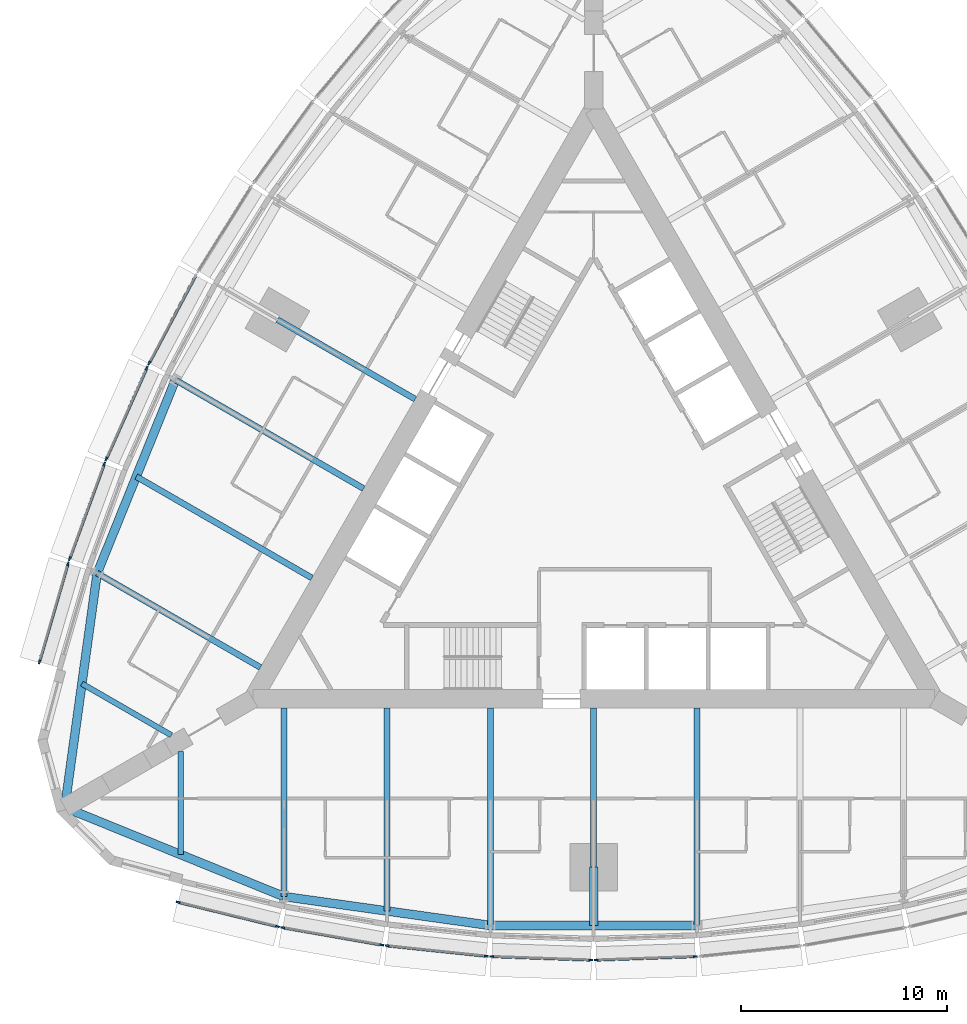
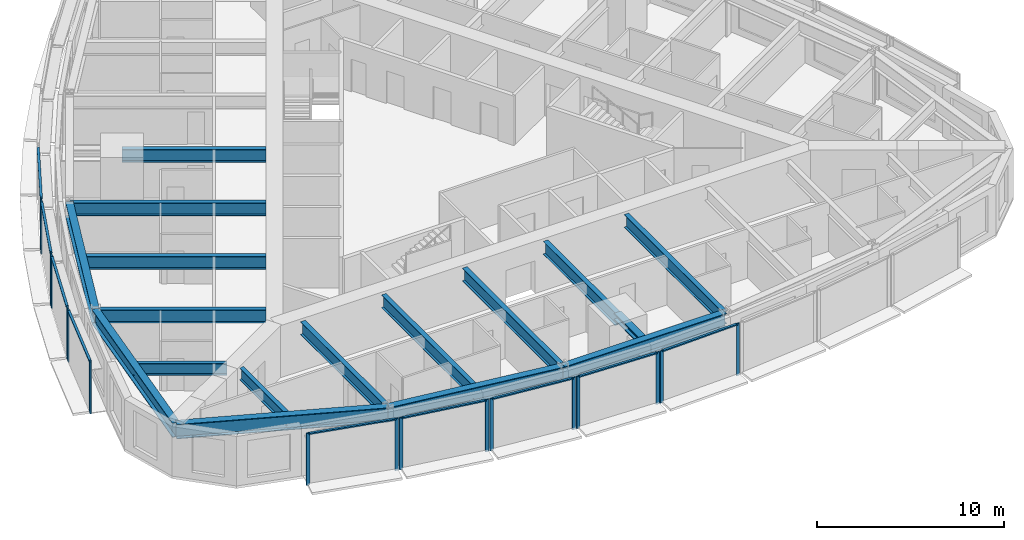
# One storey, part 2 of 14: 26 members, 17 beams, 9 elements without a shape of their own.
"""IFC4 building model written with IfcOpenShell, lengths in metres."""

from ifc_helpers import new_model, si_unit, direction, frame, origin, origin_2d, place, context, subcontext, project, spatial, rectangle, i_section, extrude, material, material_profile, profile_set, type_object, element, aggregate, save


model = new_model("IFC4")

# Units and contexts
model_context = context("Model", 3, precision=1e-05, world=origin(), true_north=direction((0.0, 1.0)))
body_context = subcontext(model_context, "Body", "Model", "MODEL_VIEW")
ifc_project = project(units=[si_unit("LENGTHUNIT", "METRE"), si_unit("AREAUNIT", "SQUARE_METRE"), si_unit("VOLUMEUNIT", "CUBIC_METRE"), si_unit("PLANEANGLEUNIT", "RADIAN"), si_unit("MASSUNIT", "GRAM", prefix="KILO")], contexts=[model_context])

# Site, building, storey
site_placement = place(None, origin())
site = spatial("IfcSite", under=ifc_project, at=site_placement, CompositionType="ELEMENT")
building_placement = place(site_placement, origin())
building = spatial("IfcBuilding", under=site, at=building_placement, Name="Trikona Tower", CompositionType="ELEMENT")
storey_placement = place(building_placement, frame((0.0, 0.0, 145.300048828125)))
storey = spatial("IfcBuildingStorey", under=building, at=storey_placement, Name="L38", CompositionType="ELEMENT", Elevation=145.300048828125)

# Curtain wall, members
ifc_material_1 = material(Name="Aluminium curtain wall system", Category="aluminium")
curtain_wall_type = type_object("IfcCurtainWallType", Name="Curtain wall DS2", PredefinedType="NOTDEFINED", material=ifc_material_1)
curtain_wall_1_placement = place(storey_placement, origin())
curtain_wall_1 = element("IfcCurtainWall", 1, at=curtain_wall_1_placement, inside=storey, type_object=curtain_wall_type, Name="Curtain wall DS2 L38", PredefinedType="NOTDEFINED")
ifc_material_2 = material(Name="Aluminium mullion, pale anodised", Category="aluminium")
ifc_material_profile_1 = material_profile(ifc_material_2, rectangle(XDim=0.080078125, YDim=0.199951171875, at=origin_2d()), Name="MUL-DS2")
ifc_profile_set_1 = profile_set([ifc_material_profile_1], Name="Aluminium mullion, pale anodised")
member_type_1 = type_object("IfcMemberType", Name="Mullion DS2 80x200", PredefinedType="MULLION", material=ifc_profile_set_1)
member_1_placement = place(storey_placement, frame((-20.116943359375, -19.373046875, 0.0), z_axis=(0.0, 0.0, 1.0), x_axis=(0.237970204243, 0.971272455026, 0.0)))
member_1 = element("IfcMember", 2, at=member_1_placement, type_object=member_type_1, Name="CW-DS2 mullion 1", PredefinedType="MULLION", context=body_context, shape_type="SweptSolid", body=[
    extrude(rectangle(XDim=0.080078125, YDim=0.199951171875, at=origin_2d()), origin(), (0.0, 0.0, 1.0), 3.39990234375),
])
member_2_placement = place(storey_placement, frame((-15.311279296875, -20.550537109375, 0.0), z_axis=(0.0, 0.0, 1.0), x_axis=(0.237970204243, 0.971272455026, 0.0)))
member_2 = element("IfcMember", 3, at=member_2_placement, type_object=member_type_1, Name="CW-DS2 mullion 2", PredefinedType="MULLION", context=body_context, shape_type="SweptSolid", body=[
    extrude(rectangle(XDim=0.080078125, YDim=0.199951171875, at=origin_2d()), origin(), (0.0, 0.0, 1.0), 3.39990234375),
])

curtain_wall_2_placement = place(storey_placement, origin())
curtain_wall_2 = element("IfcCurtainWall", 4, at=curtain_wall_2_placement, inside=storey, type_object=curtain_wall_type, Name="Curtain wall DS2 L38", PredefinedType="NOTDEFINED")
member_3_placement = place(storey_placement, frame((-15.056640625, -20.60400390625, 0.0), z_axis=(0.0, 0.0, 1.0), x_axis=(0.17237739505, 0.985030981074, 0.0)))
member_3 = element("IfcMember", 5, at=member_3_placement, type_object=member_type_1, Name="CW-DS2 mullion 1", PredefinedType="MULLION", context=body_context, shape_type="SweptSolid", body=[
    extrude(rectangle(XDim=0.080078125, YDim=0.199951171875, at=origin_2d()), origin(), (0.0, 0.0, 1.0), 3.39990234375),
])
member_4_placement = place(storey_placement, frame((-10.253662109375, -21.444580078125, 0.0), z_axis=(0.0, 0.0, 1.0), x_axis=(0.17237739505, 0.985030981074, 0.0)))
member_4 = element("IfcMember", 6, at=member_4_placement, type_object=member_type_1, Name="CW-DS2 mullion 2", PredefinedType="MULLION", context=body_context, shape_type="SweptSolid", body=[
    extrude(rectangle(XDim=0.080078125, YDim=0.199951171875, at=origin_2d()), origin(), (0.0, 0.0, 1.0), 3.39990234375),
])

curtain_wall_3_placement = place(storey_placement, origin())
curtain_wall_3 = element("IfcCurtainWall", 7, at=curtain_wall_3_placement, inside=storey, type_object=curtain_wall_type, Name="Curtain wall DS2 L38", PredefinedType="NOTDEFINED")
member_5_placement = place(storey_placement, frame((-9.99462890625, -21.480712890625, 0.0), z_axis=(0.0, 0.0, 1.0), x_axis=(0.104433387357, 0.994531883654, 0.0)))
member_5 = element("IfcMember", 8, at=member_5_placement, type_object=member_type_1, Name="CW-DS2 mullion 1", PredefinedType="MULLION", context=body_context, shape_type="SweptSolid", body=[
    extrude(rectangle(XDim=0.080078125, YDim=0.199951171875, at=origin_2d()), origin(), (0.0, 0.0, 1.0), 3.39990234375),
])
member_6_placement = place(storey_placement, frame((-5.193359375, -21.98486328125, 0.0), z_axis=(0.0, 0.0, 1.0), x_axis=(0.104433387357, 0.994531883654, 0.0)))
member_6 = element("IfcMember", 9, at=member_6_placement, type_object=member_type_1, Name="CW-DS2 mullion 2", PredefinedType="MULLION", context=body_context, shape_type="SweptSolid", body=[
    extrude(rectangle(XDim=0.080078125, YDim=0.199951171875, at=origin_2d()), origin(), (0.0, 0.0, 1.0), 3.39990234375),
])

curtain_wall_4_placement = place(storey_placement, origin())
curtain_wall_4 = element("IfcCurtainWall", 10, at=curtain_wall_4_placement, inside=storey, type_object=curtain_wall_type, Name="Curtain wall DS2 L38", PredefinedType="NOTDEFINED")
member_7_placement = place(storey_placement, frame((-4.931640625, -22.003173828125, 0.0), z_axis=(0.0, 0.0, 1.0), x_axis=(0.034998320052, 0.99938737114, 0.0)))
member_7 = element("IfcMember", 11, at=member_7_placement, type_object=member_type_1, Name="CW-DS2 mullion 1", PredefinedType="MULLION", context=body_context, shape_type="SweptSolid", body=[
    extrude(rectangle(XDim=0.080078125, YDim=0.199951171875, at=origin_2d()), origin(), (0.0, 0.0, 1.0), 3.39990234375),
])
member_8_placement = place(storey_placement, frame((-0.13134765625, -22.171142578125, 0.0), z_axis=(0.0, 0.0, 1.0), x_axis=(0.034998320052, 0.99938737114, 0.0)))
member_8 = element("IfcMember", 12, at=member_8_placement, type_object=member_type_1, Name="CW-DS2 mullion 2", PredefinedType="MULLION", context=body_context, shape_type="SweptSolid", body=[
    extrude(rectangle(XDim=0.080078125, YDim=0.199951171875, at=origin_2d()), origin(), (0.0, 0.0, 1.0), 3.39990234375),
])

curtain_wall_5_placement = place(storey_placement, origin())
curtain_wall_5 = element("IfcCurtainWall", 13, at=curtain_wall_5_placement, inside=storey, type_object=curtain_wall_type, Name="Curtain wall DS2 L38", PredefinedType="NOTDEFINED")
member_9_placement = place(storey_placement, frame((0.13134765625, -22.171142578125, 0.0), z_axis=(0.0, 0.0, 1.0), x_axis=(-0.034998320052, 0.99938737114, 0.0)))
member_9 = element("IfcMember", 14, at=member_9_placement, type_object=member_type_1, Name="CW-DS2 mullion 1", PredefinedType="MULLION", context=body_context, shape_type="SweptSolid", body=[
    extrude(rectangle(XDim=0.080078125, YDim=0.199951171875, at=origin_2d()), origin(), (0.0, 0.0, 1.0), 3.39990234375),
])
member_10_placement = place(storey_placement, frame((4.931640625, -22.003173828125, 0.0), z_axis=(0.0, 0.0, 1.0), x_axis=(-0.034998320052, 0.99938737114, 0.0)))
member_10 = element("IfcMember", 15, at=member_10_placement, type_object=member_type_1, Name="CW-DS2 mullion 2", PredefinedType="MULLION", context=body_context, shape_type="SweptSolid", body=[
    extrude(rectangle(XDim=0.080078125, YDim=0.199951171875, at=origin_2d()), origin(), (0.0, 0.0, 1.0), 3.39990234375),
])

# Curtain wall, member
curtain_wall_6_placement = place(storey_placement, origin())
curtain_wall_6 = element("IfcCurtainWall", 16, at=curtain_wall_6_placement, inside=storey, type_object=curtain_wall_type, Name="Curtain wall DS2 L38", PredefinedType="NOTDEFINED")
member_11_placement = place(storey_placement, frame((-21.52099609375, 6.730712890625, 0.0), z_axis=(0.0, 0.0, 1.0), x_axis=(0.882996107343, -0.469380308937, 0.0)))
member_11 = element("IfcMember", 17, at=member_11_placement, type_object=member_type_1, Name="CW-DS2 mullion 2", PredefinedType="MULLION", context=body_context, shape_type="SweptSolid", body=[
    extrude(rectangle(XDim=0.080078125, YDim=0.199951171875, at=origin_2d()), origin(), (0.0, 0.0, 1.0), 3.39990234375),
])

# Curtain wall, members
curtain_wall_7_placement = place(storey_placement, origin())
curtain_wall_7 = element("IfcCurtainWall", 18, at=curtain_wall_7_placement, inside=storey, type_object=curtain_wall_type, Name="Curtain wall DS2 L38", PredefinedType="NOTDEFINED")
member_12_placement = place(storey_placement, frame((-21.63623046875, 6.494873046875, 0.0), z_axis=(0.0, 0.0, 1.0), x_axis=(0.913501208767, -0.406836013132, 0.0)))
member_12 = element("IfcMember", 19, at=member_12_placement, type_object=member_type_1, Name="CW-DS2 mullion 1", PredefinedType="MULLION", context=body_context, shape_type="SweptSolid", body=[
    extrude(rectangle(XDim=0.080078125, YDim=0.199951171875, at=origin_2d()), origin(), (0.0, 0.0, 1.0), 3.39990234375),
])
member_13_placement = place(storey_placement, frame((-23.60009765625, 2.0849609375, 0.0), z_axis=(0.0, 0.0, 1.0), x_axis=(0.913501208767, -0.406836013132, 0.0)))
member_13 = element("IfcMember", 20, at=member_13_placement, type_object=member_type_1, Name="CW-DS2 mullion 2", PredefinedType="MULLION", context=body_context, shape_type="SweptSolid", body=[
    extrude(rectangle(XDim=0.080078125, YDim=0.199951171875, at=origin_2d()), origin(), (0.0, 0.0, 1.0), 3.39990234375),
])

curtain_wall_8_placement = place(storey_placement, origin())
curtain_wall_8 = element("IfcCurtainWall", 21, at=curtain_wall_8_placement, inside=storey, type_object=curtain_wall_type, Name="Curtain wall DS2 L38", PredefinedType="NOTDEFINED")
member_14_placement = place(storey_placement, frame((-23.6982421875, 1.84228515625, 0.0), z_axis=(0.0, 0.0, 1.0), x_axis=(0.939253790978, -0.343223420143, 0.0)))
member_14 = element("IfcMember", 22, at=member_14_placement, type_object=member_type_1, Name="CW-DS2 mullion 1", PredefinedType="MULLION", context=body_context, shape_type="SweptSolid", body=[
    extrude(rectangle(XDim=0.080078125, YDim=0.199951171875, at=origin_2d()), origin(), (0.0, 0.0, 1.0), 3.39990234375),
])
member_15_placement = place(storey_placement, frame((-25.371826171875, -2.737548828125, 0.0), z_axis=(0.0, 0.0, 1.0), x_axis=(0.939253790978, -0.343223420143, 0.0)))
member_15 = element("IfcMember", 23, at=member_15_placement, type_object=member_type_1, Name="CW-DS2 mullion 2", PredefinedType="MULLION", context=body_context, shape_type="SweptSolid", body=[
    extrude(rectangle(XDim=0.080078125, YDim=0.199951171875, at=origin_2d()), origin(), (0.0, 0.0, 1.0), 3.39990234375),
])

curtain_wall_9_placement = place(storey_placement, origin())
curtain_wall_9 = element("IfcCurtainWall", 24, at=curtain_wall_9_placement, inside=storey, type_object=curtain_wall_type, Name="Curtain wall DS2 L38", PredefinedType="NOTDEFINED")
member_16_placement = place(storey_placement, frame((-25.452880859375, -2.984619140625, 0.0), z_axis=(0.0, 0.0, 1.0), x_axis=(0.96013310152, -0.279543247757, 0.0)))
member_16 = element("IfcMember", 25, at=member_16_placement, type_object=member_type_1, Name="CW-DS2 mullion 1", PredefinedType="MULLION", context=body_context, shape_type="SweptSolid", body=[
    extrude(rectangle(XDim=0.080078125, YDim=0.199951171875, at=origin_2d()), origin(), (0.0, 0.0, 1.0), 3.39990234375),
])
member_17_placement = place(storey_placement, frame((-26.836181640625, -7.7353515625, 0.0), z_axis=(0.0, 0.0, 1.0), x_axis=(0.96013310152, -0.279543247757, 0.0)))
member_17 = element("IfcMember", 26, at=member_17_placement, type_object=member_type_1, Name="CW-DS2 mullion 2", PredefinedType="MULLION", context=body_context, shape_type="SweptSolid", body=[
    extrude(rectangle(XDim=0.080078125, YDim=0.199951171875, at=origin_2d()), origin(), (0.0, 0.0, 1.0), 3.39990234375),
])

# Beams
ifc_material_3 = material(Name="Steel ASTM A992 Grade 50", Category="steel")
ifc_material_profile_2 = material_profile(ifc_material_3, i_section(OverallWidth=0.419189453125, OverallDepth=0.45458984375, WebThickness=0.042236328125, FlangeThickness=0.067626953125, at=origin_2d()), Name="W14X370")
ifc_profile_set_2 = profile_set([ifc_material_profile_2], Name="Steel ASTM A992 Grade 50")
beam_type_1 = type_object("IfcBeamType", Name="Steel beam W14x370 (apex bracket)", PredefinedType="BEAM", material=ifc_profile_set_2)
beam_1_placement = place(storey_placement, frame((0.0, -17.680419921875, 3.007568359375), z_axis=(0.0, -1.0, 0.0), x_axis=(1.0, 0.0, 0.0)))
element("IfcBeam", 27, at=beam_1_placement, inside=storey, type_object=beam_type_1, Name="Cantilever bracket L39 F1", PredefinedType="BEAM", context=body_context, shape_type="SweptSolid", body=[
    extrude(i_section(OverallWidth=0.419189453125, OverallDepth=0.45458984375, WebThickness=0.042236328125, FlangeThickness=0.067626953125, at=origin_2d()), origin(), (0.0, 0.0, 1.0), 2.81982421875),
])
ifc_material_4 = material(Name="Steel ASTM A992 Grade 50", Category="steel")
ifc_material_profile_3 = material_profile(ifc_material_4, i_section(OverallWidth=0.2666015625, OverallDepth=0.76953125, WebThickness=0.015625, FlangeThickness=0.025390625, at=origin_2d()), Name="W30X132")
ifc_profile_set_3 = profile_set([ifc_material_profile_3], Name="Steel ASTM A992 Grade 50")
beam_type_2 = type_object("IfcBeamType", Name="Steel beam W30x132 (wedge)", PredefinedType="BEAM", material=ifc_profile_set_3)
beam_2_placement = place(storey_placement, frame((-20.0, -12.066650390625, 2.85009765625), z_axis=(0.0, -1.0, 0.0), x_axis=(1.0, 0.0, 0.0)))
element("IfcBeam", 28, at=beam_2_placement, inside=storey, type_object=beam_type_2, Name="Floor beam L39 F1 u-20", PredefinedType="BEAM", context=body_context, shape_type="SweptSolid", body=[
    extrude(i_section(OverallWidth=0.2666015625, OverallDepth=0.76953125, WebThickness=0.015625, FlangeThickness=0.025390625, at=origin_2d()), origin(), (0.0, 0.0, 1.0), 5.00048828125),
])
beam_3_placement = place(storey_placement, frame((-20.449951171875, -11.287109375, 2.85009765625), z_axis=(-0.866038434829, 0.49997742889, 0.0), x_axis=(-0.49997742889, -0.866038434829, 0.0)))
element("IfcBeam", 29, at=beam_3_placement, inside=storey, type_object=beam_type_2, Name="Floor beam L39 F3 u20", PredefinedType="BEAM", context=body_context, shape_type="SweptSolid", body=[
    extrude(i_section(OverallWidth=0.2666015625, OverallDepth=0.76953125, WebThickness=0.015625, FlangeThickness=0.025390625, at=origin_2d()), origin(), (0.0, 0.0, 1.0), 5.000732421875),
])
ifc_material_5 = material(Name="Steel ASTM A992 Grade 50", Category="steel")
ifc_material_profile_4 = material_profile(ifc_material_5, i_section(OverallWidth=0.2919921875, OverallDepth=0.845703125, WebThickness=0.015380859375, FlangeThickness=0.0244140625, at=origin_2d()), Name="W33X141")
ifc_profile_set_4 = profile_set([ifc_material_profile_4], Name="Steel ASTM A992 Grade 50")
beam_type_3 = type_object("IfcBeamType", Name="Steel beam W33x141 (radial typ)", PredefinedType="BEAM", material=ifc_profile_set_4)
beam_4_placement = place(storey_placement, frame((-15.0, -9.976318359375, 2.81201171875), z_axis=(0.0, -1.0, 0.0), x_axis=(1.0, 0.0, 0.0)))
element("IfcBeam", 30, at=beam_4_placement, inside=storey, type_object=beam_type_3, Name="Floor beam L39 F1 u-15", PredefinedType="BEAM", context=body_context, shape_type="SweptSolid", body=[
    extrude(i_section(OverallWidth=0.2919921875, OverallDepth=0.845703125, WebThickness=0.015380859375, FlangeThickness=0.0244140625, at=origin_2d()), origin(), (0.0, 0.0, 1.0), 9.123779296875),
])
beam_5_placement = place(storey_placement, frame((-10.0, -9.976318359375, 2.81201171875), z_axis=(0.0, -1.0, 0.0), x_axis=(1.0, 0.0, 0.0)))
element("IfcBeam", 31, at=beam_5_placement, inside=storey, type_object=beam_type_3, Name="Floor beam L39 F1 u-10", PredefinedType="BEAM", context=body_context, shape_type="SweptSolid", body=[
    extrude(i_section(OverallWidth=0.2919921875, OverallDepth=0.845703125, WebThickness=0.015380859375, FlangeThickness=0.0244140625, at=origin_2d()), origin(), (0.0, 0.0, 1.0), 9.823974609375),
])
beam_6_placement = place(storey_placement, frame((-5.0, -9.976318359375, 2.81201171875), z_axis=(0.0, -1.0, 0.0), x_axis=(1.0, 0.0, 0.0)))
element("IfcBeam", 32, at=beam_6_placement, inside=storey, type_object=beam_type_3, Name="Floor beam L39 F1 u-5", PredefinedType="BEAM", context=body_context, shape_type="SweptSolid", body=[
    extrude(i_section(OverallWidth=0.2919921875, OverallDepth=0.845703125, WebThickness=0.015380859375, FlangeThickness=0.0244140625, at=origin_2d()), origin(), (0.0, 0.0, 1.0), 10.52392578125),
])
beam_7_placement = place(storey_placement, frame((0.0, -9.976318359375, 2.81201171875), z_axis=(0.0, -1.0, 0.0), x_axis=(1.0, 0.0, 0.0)))
element("IfcBeam", 33, at=beam_7_placement, inside=storey, type_object=beam_type_3, Name="Floor beam L39 F1 u0", PredefinedType="BEAM", context=body_context, shape_type="SweptSolid", body=[
    extrude(i_section(OverallWidth=0.2919921875, OverallDepth=0.845703125, WebThickness=0.015380859375, FlangeThickness=0.0244140625, at=origin_2d()), origin(), (0.0, 0.0, 1.0), 7.7041015625),
])
beam_8_placement = place(storey_placement, frame((5.0, -9.976318359375, 2.81201171875), z_axis=(0.0, -1.0, 0.0), x_axis=(1.0, 0.0, 0.0)))
element("IfcBeam", 34, at=beam_8_placement, inside=storey, type_object=beam_type_3, Name="Floor beam L39 F1 u5", PredefinedType="BEAM", context=body_context, shape_type="SweptSolid", body=[
    extrude(i_section(OverallWidth=0.2919921875, OverallDepth=0.845703125, WebThickness=0.015380859375, FlangeThickness=0.0244140625, at=origin_2d()), origin(), (0.0, 0.0, 1.0), 10.52392578125),
])
beam_9_placement = place(storey_placement, frame((-8.6396484375, 4.988037109375, 2.81201171875), z_axis=(-0.866017246294, 0.500014128921, 0.0), x_axis=(-0.500014128921, -0.866017246294, 0.0)))
element("IfcBeam", 35, at=beam_9_placement, inside=storey, type_object=beam_type_3, Name="Floor beam L39 F3 u0", PredefinedType="BEAM", context=body_context, shape_type="SweptSolid", body=[
    extrude(i_section(OverallWidth=0.2919921875, OverallDepth=0.845703125, WebThickness=0.015380859375, FlangeThickness=0.0244140625, at=origin_2d()), origin(), (0.0, 0.0, 1.0), 7.704345703125),
])
beam_10_placement = place(storey_placement, frame((-11.1396484375, 0.657958984375, 2.81201171875), z_axis=(-0.866026035623, 0.499998905622, 0.0), x_axis=(-0.499998905622, -0.866026035623, 0.0)))
element("IfcBeam", 36, at=beam_10_placement, inside=storey, type_object=beam_type_3, Name="Floor beam L39 F3 u5", PredefinedType="BEAM", context=body_context, shape_type="SweptSolid", body=[
    extrude(i_section(OverallWidth=0.2919921875, OverallDepth=0.845703125, WebThickness=0.015380859375, FlangeThickness=0.0244140625, at=origin_2d()), origin(), (0.0, 0.0, 1.0), 10.52392578125),
])
beam_11_placement = place(storey_placement, frame((-13.6396484375, -3.672119140625, 2.81201171875), z_axis=(-0.866020046725, 0.500009278584, 0.0), x_axis=(-0.500009278584, -0.866020046725, 0.0)))
element("IfcBeam", 37, at=beam_11_placement, inside=storey, type_object=beam_type_3, Name="Floor beam L39 F3 u10", PredefinedType="BEAM", context=body_context, shape_type="SweptSolid", body=[
    extrude(i_section(OverallWidth=0.2919921875, OverallDepth=0.845703125, WebThickness=0.015380859375, FlangeThickness=0.0244140625, at=origin_2d()), origin(), (0.0, 0.0, 1.0), 9.823974609375),
])
beam_12_placement = place(storey_placement, frame((-16.1396484375, -8.002197265625, 2.81201171875), z_axis=(-0.866024725532, 0.500001174766, 0.0), x_axis=(-0.500001174766, -0.866024725532, 0.0)))
element("IfcBeam", 38, at=beam_12_placement, inside=storey, type_object=beam_type_3, Name="Floor beam L39 F3 u15", PredefinedType="BEAM", context=body_context, shape_type="SweptSolid", body=[
    extrude(i_section(OverallWidth=0.2919921875, OverallDepth=0.845703125, WebThickness=0.015380859375, FlangeThickness=0.0244140625, at=origin_2d()), origin(), (0.0, 0.0, 1.0), 9.1240234375),
])
ifc_material_6 = material(Name="Steel ASTM A992 Grade 50", Category="steel")
ifc_material_profile_5 = material_profile(ifc_material_6, i_section(OverallWidth=0.424072265625, OverallDepth=0.947509765625, WebThickness=0.02392578125, FlangeThickness=0.042724609375, at=origin_2d()), Name="W36X302")
ifc_profile_set_5 = profile_set([ifc_material_profile_5], Name="Steel ASTM A992 Grade 50")
beam_type_4 = type_object("IfcBeamType", Name="Steel beam W36x302 (spandrel)", PredefinedType="SPANDREL", material=ifc_profile_set_5)
beam_13_placement = place(storey_placement, frame((-25.6103515625, -14.7861328125, 2.76123046875), z_axis=(0.926359695662, -0.376640032728, 0.0), x_axis=(0.376640032728, 0.926359695662, 0.0)))
element("IfcBeam", 39, at=beam_13_placement, inside=storey, type_object=beam_type_4, Name="Spandrel beam L39 F1-1", PredefinedType="SPANDREL", context=body_context, shape_type="SweptSolid", body=[
    extrude(i_section(OverallWidth=0.424072265625, OverallDepth=0.947509765625, WebThickness=0.02392578125, FlangeThickness=0.042724609375, at=origin_2d()), origin(), (0.0, 0.0, 1.0), 11.453857421875),
])
beam_14_placement = place(storey_placement, frame((-15.0, -19.10009765625, 2.76123046875), z_axis=(0.990339754644, -0.13866207258, 0.0), x_axis=(0.13866207258, 0.990339754644, 0.0)))
element("IfcBeam", 40, at=beam_14_placement, inside=storey, type_object=beam_type_4, Name="Spandrel beam L39 F1-2", PredefinedType="SPANDREL", context=body_context, shape_type="SweptSolid", body=[
    extrude(i_section(OverallWidth=0.424072265625, OverallDepth=0.947509765625, WebThickness=0.02392578125, FlangeThickness=0.042724609375, at=origin_2d()), origin(), (0.0, 0.0, 1.0), 10.09765625),
])
beam_15_placement = place(storey_placement, frame((-5.0, -20.500244140625, 2.76123046875), z_axis=(1.0, 0.0, 0.0), x_axis=(0.0, 1.0, 0.0)))
element("IfcBeam", 41, at=beam_15_placement, inside=storey, type_object=beam_type_4, Name="Spandrel beam L39 F1-3", PredefinedType="SPANDREL", context=body_context, shape_type="SweptSolid", body=[
    extrude(i_section(OverallWidth=0.424072265625, OverallDepth=0.947509765625, WebThickness=0.02392578125, FlangeThickness=0.042724609375, at=origin_2d()), origin(), (0.0, 0.0, 1.0), 10.0),
])
beam_16_placement = place(storey_placement, frame((-20.253662109375, 5.919921875, 2.76123046875), z_axis=(-0.375106193787, -0.926981846307, 0.0), x_axis=(0.926981846307, -0.375106193787, 0.0)))
element("IfcBeam", 42, at=beam_16_placement, inside=storey, type_object=beam_type_4, Name="Spandrel beam L39 F3-4", PredefinedType="SPANDREL", context=body_context, shape_type="SweptSolid", body=[
    extrude(i_section(OverallWidth=0.424072265625, OverallDepth=0.947509765625, WebThickness=0.02392578125, FlangeThickness=0.042724609375, at=origin_2d()), origin(), (0.0, 0.0, 1.0), 10.097412109375),
])
beam_17_placement = place(storey_placement, frame((-24.041259765625, -3.440185546875, 2.76123046875), z_axis=(-0.136991535842, -0.990572218017, 0.0), x_axis=(0.990572218017, -0.136991535842, 0.0)))
element("IfcBeam", 43, at=beam_17_placement, inside=storey, type_object=beam_type_4, Name="Spandrel beam L39 F3-5", PredefinedType="SPANDREL", context=body_context, shape_type="SweptSolid", body=[
    extrude(i_section(OverallWidth=0.424072265625, OverallDepth=0.947509765625, WebThickness=0.02392578125, FlangeThickness=0.042724609375, at=origin_2d()), origin(), (0.0, 0.0, 1.0), 11.453857421875),
])

# Member
ifc_material_7 = material(Name="Aluminium transom, pale anodised", Category="aluminium")
ifc_material_profile_6 = material_profile(ifc_material_7, rectangle(XDim=0.139892578125, YDim=0.080078125, at=origin_2d()), Name="TRN-DS2")
ifc_profile_set_6 = profile_set([ifc_material_profile_6], Name="Aluminium transom, pale anodised")
member_type_2 = type_object("IfcMemberType", Name="Transom DS2 80x140", PredefinedType="USERDEFINED", material=ifc_profile_set_6)
member_18_placement = place(storey_placement, frame((-20.078125, -19.382568359375, 3.35986328125), z_axis=(0.971270583303, -0.237977843528, 0.0), x_axis=(0.237977843528, 0.971270583303, 0.0)))
member_18 = element("IfcMember", 44, at=member_18_placement, type_object=member_type_2, Name="CW-DS2 transom 1.1", ObjectType="TRANSOM", PredefinedType="USERDEFINED", context=body_context, shape_type="SweptSolid", body=[
    extrude(rectangle(XDim=0.139892578125, YDim=0.080078125, at=origin_2d()), origin(), (0.0, 0.0, 1.0), 4.867919921875),
])

aggregate(curtain_wall_1, [member_1, member_2, member_18])

member_19_placement = place(storey_placement, frame((-15.01708984375, -20.61083984375, 3.35986328125), z_axis=(0.98503262804, -0.172367983387, 0.0), x_axis=(0.172367983387, 0.98503262804, 0.0)))
member_19 = element("IfcMember", 45, at=member_19_placement, type_object=member_type_2, Name="CW-DS2 transom 1.1", ObjectType="TRANSOM", PredefinedType="USERDEFINED", context=body_context, shape_type="SweptSolid", body=[
    extrude(rectangle(XDim=0.139892578125, YDim=0.080078125, at=origin_2d()), origin(), (0.0, 0.0, 1.0), 4.7958984375),
])

aggregate(curtain_wall_2, [member_3, member_4, member_19])

member_20_placement = place(storey_placement, frame((-9.954833984375, -21.48486328125, 3.35986328125), z_axis=(0.99453106441, -0.104441188822, 0.0), x_axis=(0.104441188822, 0.99453106441, 0.0)))
member_20 = element("IfcMember", 46, at=member_20_placement, type_object=member_type_2, Name="CW-DS2 transom 1.1", ObjectType="TRANSOM", PredefinedType="USERDEFINED", context=body_context, shape_type="SweptSolid", body=[
    extrude(rectangle(XDim=0.139892578125, YDim=0.080078125, at=origin_2d()), origin(), (0.0, 0.0, 1.0), 4.74755859375),
])

aggregate(curtain_wall_3, [member_5, member_6, member_20])

member_21_placement = place(storey_placement, frame((-4.8916015625, -22.00439453125, 3.35986328125), z_axis=(0.999385692759, -0.035046213908, 0.0), x_axis=(0.035046213908, 0.999385692759, 0.0)))
member_21 = element("IfcMember", 47, at=member_21_placement, type_object=member_type_2, Name="CW-DS2 transom 1.1", ObjectType="TRANSOM", PredefinedType="USERDEFINED", context=body_context, shape_type="SweptSolid", body=[
    extrude(rectangle(XDim=0.139892578125, YDim=0.080078125, at=origin_2d()), origin(), (0.0, 0.0, 1.0), 4.72314453125),
])

aggregate(curtain_wall_4, [member_7, member_8, member_21])

member_22_placement = place(storey_placement, frame((0.17138671875, -22.169921875, 3.35986328125), z_axis=(0.999385692759, 0.035046213908, 0.0), x_axis=(-0.035046213908, 0.999385692759, 0.0)))
member_22 = element("IfcMember", 48, at=member_22_placement, type_object=member_type_2, Name="CW-DS2 transom 1.1", ObjectType="TRANSOM", PredefinedType="USERDEFINED", context=body_context, shape_type="SweptSolid", body=[
    extrude(rectangle(XDim=0.139892578125, YDim=0.080078125, at=origin_2d()), origin(), (0.0, 0.0, 1.0), 4.72314453125),
])

aggregate(curtain_wall_5, [member_9, member_10, member_22])

member_23_placement = place(storey_placement, frame((-19.285400390625, 10.9365234375, 3.35986328125), z_axis=(-0.469364343408, -0.883004594063, 0.0), x_axis=(0.883004594063, -0.469364343408, 0.0)))
member_23 = element("IfcMember", 49, at=member_23_placement, type_object=member_type_2, Name="CW-DS2 transom 1.1", ObjectType="TRANSOM", PredefinedType="USERDEFINED", context=body_context, shape_type="SweptSolid", body=[
    extrude(rectangle(XDim=0.139892578125, YDim=0.080078125, at=origin_2d()), origin(), (0.0, 0.0, 1.0), 4.722900390625),
])

aggregate(curtain_wall_6, [member_11, member_23])

member_24_placement = place(storey_placement, frame((-21.65234375, 6.458251953125, 3.35986328125), z_axis=(-0.406839769607, -0.913499535778, 0.0), x_axis=(0.913499535778, -0.406839769607, 0.0)))
member_24 = element("IfcMember", 50, at=member_24_placement, type_object=member_type_2, Name="CW-DS2 transom 1.1", ObjectType="TRANSOM", PredefinedType="USERDEFINED", context=body_context, shape_type="SweptSolid", body=[
    extrude(rectangle(XDim=0.139892578125, YDim=0.080078125, at=origin_2d()), origin(), (0.0, 0.0, 1.0), 4.747314453125),
])

aggregate(curtain_wall_7, [member_12, member_13, member_24])

member_25_placement = place(storey_placement, frame((-23.712158203125, 1.8046875, 3.35986328125), z_axis=(-0.343205907674, -0.939260190223, 0.0), x_axis=(0.939260190223, -0.343205907674, 0.0)))
member_25 = element("IfcMember", 51, at=member_25_placement, type_object=member_type_2, Name="CW-DS2 transom 1.1", ObjectType="TRANSOM", PredefinedType="USERDEFINED", context=body_context, shape_type="SweptSolid", body=[
    extrude(rectangle(XDim=0.139892578125, YDim=0.080078125, at=origin_2d()), origin(), (0.0, 0.0, 1.0), 4.7958984375),
])

aggregate(curtain_wall_8, [member_14, member_15, member_25])

member_26_placement = place(storey_placement, frame((-25.464111328125, -3.023193359375, 3.35986328125), z_axis=(-0.279566628153, -0.960126293996, 0.0), x_axis=(0.960126293996, -0.279566628153, 0.0)))
member_26 = element("IfcMember", 52, at=member_26_placement, type_object=member_type_2, Name="CW-DS2 transom 1.1", ObjectType="TRANSOM", PredefinedType="USERDEFINED", context=body_context, shape_type="SweptSolid", body=[
    extrude(rectangle(XDim=0.139892578125, YDim=0.080078125, at=origin_2d()), origin(), (0.0, 0.0, 1.0), 4.86767578125),
])

aggregate(curtain_wall_9, [member_16, member_17, member_26])

save(model, "model.ifc")
